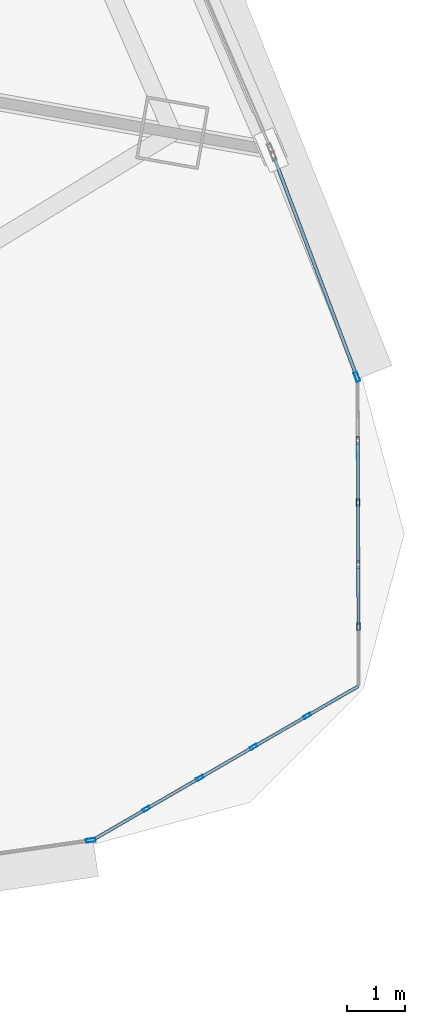
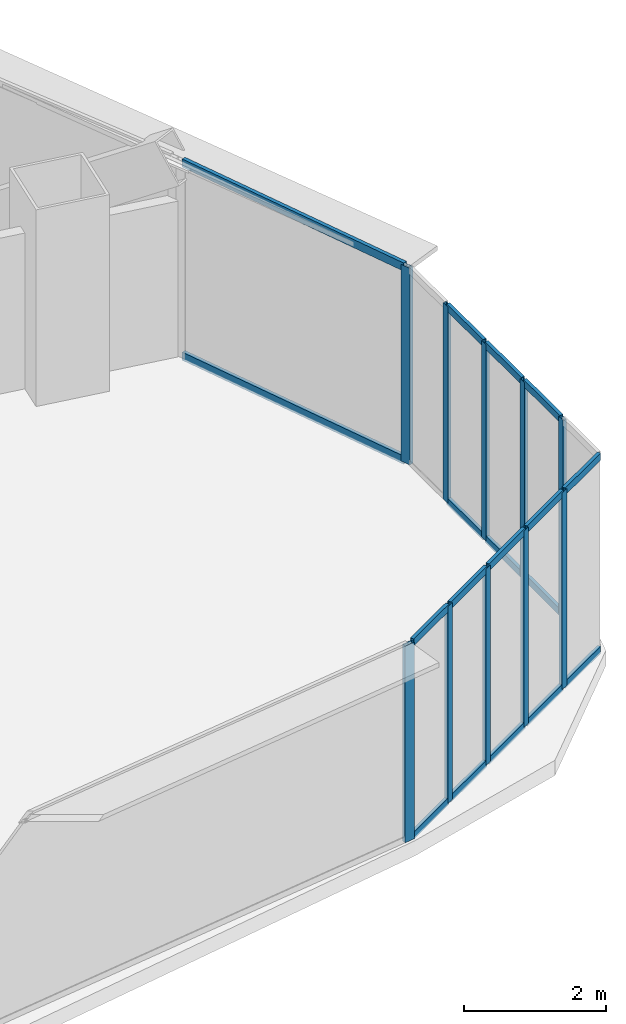
# One storey, part 22 of 42: 28 members, 4 elements without a shape of their own.
"""IFC4 building model written with IfcOpenShell, lengths in metres."""

from ifc_helpers import new_model, si_unit, direction, frame, origin, origin_2d, place, context, subcontext, project, spatial, hollow_rectangle, extrude, source, transform, mapped, material, layer, layer_set, material_profile, profile_set, type_object, element, aggregate, save


model = new_model("IFC4")

# Units and contexts
model_context = context("Model", 3, precision=1e-05, world=origin(), true_north=direction((0.0, 1.0)))
body_context = subcontext(model_context, "Body", "Model", "MODEL_VIEW")
ifc_project = project(units=[si_unit("LENGTHUNIT", "METRE"), si_unit("AREAUNIT", "SQUARE_METRE"), si_unit("VOLUMEUNIT", "CUBIC_METRE"), si_unit("PLANEANGLEUNIT", "RADIAN"), si_unit("MASSUNIT", "GRAM", prefix="KILO"), si_unit("THERMODYNAMICTEMPERATUREUNIT", "KELVIN"), si_unit("POWERUNIT", "WATT")], contexts=[model_context])

# Site, building, storey
site_placement = place(None, origin())
site = spatial("IfcSite", under=ifc_project, at=site_placement, CompositionType="ELEMENT")
building_placement = place(site_placement, origin())
building = spatial("IfcBuilding", under=site, at=building_placement, Name="Yunzhuo Pagoda Commons", CompositionType="ELEMENT")
storey_placement = place(building_placement, frame((0.0, 0.0, 44.919921875)))
storey = spatial("IfcBuildingStorey", under=building, at=storey_placement, Name="L11", CompositionType="ELEMENT", Elevation=44.919921875)

# Curtain wall, member
ifc_material = material(Name="Anodized aluminium 6063-T6", Category="aluminium")
ifc_layer_1 = layer(ifc_material, 0.1650390625)
ifc_layer_set_1 = layer_set([ifc_layer_1], Name="Anodized aluminium 6063-T6")
curtain_wall_type_1 = type_object("IfcCurtainWallType", Name="CW-LOW Low-Zone Ribbon Curtain Wall", PredefinedType="NOTDEFINED", material=ifc_layer_set_1)
curtain_wall_1_placement = place(storey_placement, origin())
curtain_wall_1 = element("IfcCurtainWall", 1, at=curtain_wall_1_placement, inside=storey, type_object=curtain_wall_type_1, Name="L11 curtain wall CW-L11-F1B5", PredefinedType="NOTDEFINED")
ifc_material_profile_1 = material_profile(ifc_material, hollow_rectangle(XDim=0.06494140625, YDim=0.1650390625, WallThickness=0.00390625, at=origin_2d()), Name="Anodized aluminium 6063-T6")
ifc_profile_set_1 = profile_set([ifc_material_profile_1], Name="Anodized aluminium 6063-T6")
member_type_1 = type_object("IfcMemberType", Name="CW-LOW-M Mullion RHS 165x65x4", PredefinedType="MULLION", material=ifc_profile_set_1)
shared_shape_1 = source(origin(), body_context, "Body", "SweptSolid", [
    extrude(hollow_rectangle(XDim=0.06494140625, YDim=0.1650390625, WallThickness=0.00390625, at=origin_2d()), origin(), (0.0, 0.0, 1.0), 3.3701171875),
])
member_1_placement = place(storey_placement, frame((86.635986328125, 14.39697265625, 0.0), z_axis=(0.0, 0.0, 1.0), x_axis=(-0.141492753346, 0.989939291447, 0.0)))
member_1 = element("IfcMember", 2, at=member_1_placement, type_object=member_type_1, Name="CW mullion 2", PredefinedType="MULLION", context=body_context, shape_type="MappedRepresentation", body=[
    mapped(shared_shape_1, transform((0.0, 0.0, 0.0), scale=1.0)),
])
aggregate(curtain_wall_1, [member_1])

# Curtain wall, members
curtain_wall_2_placement = place(storey_placement, origin())
curtain_wall_2 = element("IfcCurtainWall", 3, at=curtain_wall_2_placement, inside=storey, type_object=curtain_wall_type_1, Name="L11 curtain wall CW-L11-F2B1", PredefinedType="NOTDEFINED")
member_2_placement = place(storey_placement, frame((91.239990234375, 22.41455078125, 0.0), z_axis=(0.0, 0.0, 1.0), x_axis=(-0.935566420146, -0.353150780113, 0.0)))
member_2 = element("IfcMember", 4, at=member_2_placement, type_object=member_type_1, Name="CW mullion 1", PredefinedType="MULLION", context=body_context, shape_type="MappedRepresentation", body=[
    mapped(shared_shape_1, transform((0.0, 0.0, 0.0), scale=1.0)),
])
ifc_material_profile_2 = material_profile(ifc_material, hollow_rectangle(XDim=0.06005859375, YDim=0.139892578125, WallThickness=0.00341796875, at=origin_2d()), Name="Anodized aluminium 6063-T6")
ifc_profile_set_2 = profile_set([ifc_material_profile_2], Name="Anodized aluminium 6063-T6")
member_type_2 = type_object("IfcMemberType", Name="CW-LOW-T Transom RHS 140x60x3.5", PredefinedType="USERDEFINED", material=ifc_profile_set_2)
shared_shape_2 = source(origin(), body_context, "Body", "SweptSolid", [
    extrude(hollow_rectangle(XDim=0.06005859375, YDim=0.139892578125, WallThickness=0.00341796875, at=origin_2d()), origin(), (0.0, 0.0, 1.0), 4.019775390625),
])
member_3_placement = place(storey_placement, frame((91.228515625, 22.44482421875, 0.030029296875), z_axis=(-0.353172606042, 0.935558181163, 0.0), x_axis=(-0.935558181163, -0.353172606042, 0.0)))
member_3 = element("IfcMember", 5, at=member_3_placement, type_object=member_type_2, Name="CW transom 1.1", ObjectType="TRANSOM", PredefinedType="USERDEFINED", context=body_context, shape_type="MappedRepresentation", body=[
    mapped(shared_shape_2, transform((0.0, 0.0, 0.0), scale=1.0)),
])
member_4_placement = place(storey_placement, frame((91.228515625, 22.44482421875, 3.340087890625), z_axis=(-0.353172606042, 0.935558181163, 0.0), x_axis=(-0.935558181163, -0.353172606042, 0.0)))
member_4 = element("IfcMember", 6, at=member_4_placement, type_object=member_type_2, Name="CW transom 1.2", ObjectType="TRANSOM", PredefinedType="USERDEFINED", context=body_context, shape_type="MappedRepresentation", body=[
    mapped(shared_shape_2, transform((0.0, 0.0, 0.0), scale=1.0)),
])
aggregate(curtain_wall_2, [member_2, member_3, member_4])

ifc_layer_2 = layer(ifc_material, 0.1298828125)
ifc_layer_set_2 = layer_set([ifc_layer_2], Name="Anodized aluminium 6063-T6")
curtain_wall_type_2 = type_object("IfcCurtainWallType", Name="CW-VTX Rounded Corner Curtain Wall", PredefinedType="NOTDEFINED", material=ifc_layer_set_2)
curtain_wall_3_placement = place(storey_placement, origin())
curtain_wall_3 = element("IfcCurtainWall", 7, at=curtain_wall_3_placement, inside=storey, type_object=curtain_wall_type_2, Name="L11 curtain wall CW-L11-VTX2S1", PredefinedType="NOTDEFINED")
ifc_material_profile_3 = material_profile(ifc_material, hollow_rectangle(XDim=0.054931640625, YDim=0.1201171875, WallThickness=0.00341796875, at=origin_2d()), Name="Anodized aluminium 6063-T6")
ifc_profile_set_3 = profile_set([ifc_material_profile_3], Name="Anodized aluminium 6063-T6")
member_type_3 = type_object("IfcMemberType", Name="CW-VTX-T Transom RHS 120x55x3.5", PredefinedType="USERDEFINED", material=ifc_profile_set_3)
shared_shape_3 = source(origin(), body_context, "Body", "SweptSolid", [
    extrude(hollow_rectangle(XDim=0.054931640625, YDim=0.1201171875, WallThickness=0.00341796875, at=origin_2d()), origin(), (0.0, 0.0, 1.0), 0.990478515625),
])
member_5_placement = place(storey_placement, frame((90.406005859375, 16.5654296875, 0.027587890625), z_axis=(0.865499411208, 0.500909941206, 0.0), x_axis=(-0.500909941206, 0.865499411208, 0.0)))
member_5 = element("IfcMember", 8, at=member_5_placement, type_object=member_type_3, Name="CW transom 5.1", ObjectType="TRANSOM", PredefinedType="USERDEFINED", context=body_context, shape_type="MappedRepresentation", body=[
    mapped(shared_shape_3, transform((0.0, 0.0, 0.0), scale=1.0)),
])
member_6_placement = place(storey_placement, frame((90.406005859375, 16.5654296875, 3.342529296875), z_axis=(0.865499411208, 0.500909941206, 0.0), x_axis=(-0.500909941206, 0.865499411208, 0.0)))
member_6 = element("IfcMember", 9, at=member_6_placement, type_object=member_type_3, Name="CW transom 5.2", ObjectType="TRANSOM", PredefinedType="USERDEFINED", context=body_context, shape_type="MappedRepresentation", body=[
    mapped(shared_shape_3, transform((0.0, 0.0, 0.0), scale=1.0)),
])

curtain_wall_4_placement = place(storey_placement, origin())
curtain_wall_4 = element("IfcCurtainWall", 10, at=curtain_wall_4_placement, inside=storey, type_object=curtain_wall_type_2, Name="L11 curtain wall CW-L11-VTX2S2", PredefinedType="NOTDEFINED")
shared_shape_4 = source(origin(), body_context, "Body", "SweptSolid", [
    extrude(hollow_rectangle(XDim=0.054931640625, YDim=0.1201171875, WallThickness=0.00341796875, at=origin_2d()), origin(), (0.0, 0.0, 1.0), 1.017822265625),
])
member_7_placement = place(storey_placement, frame((91.26318359375, 19.19287109375, 0.027587890625), z_axis=(-0.00383782254, 0.999992635532, 0.0), x_axis=(-0.999992635532, -0.00383782254, 0.0)))
member_7 = element("IfcMember", 11, at=member_7_placement, type_object=member_type_3, Name="CW transom 3.1", ObjectType="TRANSOM", PredefinedType="USERDEFINED", context=body_context, shape_type="MappedRepresentation", body=[
    mapped(shared_shape_4, transform((0.0, 0.0, 0.0), scale=1.0)),
])
member_8_placement = place(storey_placement, frame((91.26318359375, 19.19287109375, 3.342529296875), z_axis=(-0.00383782254, 0.999992635532, 0.0), x_axis=(-0.999992635532, -0.00383782254, 0.0)))
member_8 = element("IfcMember", 12, at=member_8_placement, type_object=member_type_3, Name="CW transom 3.2", ObjectType="TRANSOM", PredefinedType="USERDEFINED", context=body_context, shape_type="MappedRepresentation", body=[
    mapped(shared_shape_4, transform((0.0, 0.0, 0.0), scale=1.0)),
])
member_9_placement = place(storey_placement, frame((91.259033203125, 20.265869140625, 0.027587890625), z_axis=(-0.00359796184, 0.999993527314, 0.0), x_axis=(-0.999993527314, -0.00359796184, 0.0)))
member_9 = element("IfcMember", 13, at=member_9_placement, type_object=member_type_3, Name="CW transom 4.1", ObjectType="TRANSOM", PredefinedType="USERDEFINED", context=body_context, shape_type="MappedRepresentation", body=[
    mapped(shared_shape_4, transform((0.0, 0.0, 0.0), scale=1.0)),
])
member_10_placement = place(storey_placement, frame((91.259033203125, 20.265869140625, 3.342529296875), z_axis=(-0.00359796184, 0.999993527314, 0.0), x_axis=(-0.999993527314, -0.00359796184, 0.0)))
member_10 = element("IfcMember", 14, at=member_10_placement, type_object=member_type_3, Name="CW transom 4.2", ObjectType="TRANSOM", PredefinedType="USERDEFINED", context=body_context, shape_type="MappedRepresentation", body=[
    mapped(shared_shape_4, transform((0.0, 0.0, 0.0), scale=1.0)),
])

# Member
shared_shape_5 = source(origin(), body_context, "Body", "SweptSolid", [
    extrude(hollow_rectangle(XDim=0.054931640625, YDim=0.1201171875, WallThickness=0.00341796875, at=origin_2d()), origin(), (0.0, 0.0, 1.0), 1.01806640625),
])
member_11_placement = place(storey_placement, frame((87.620361328125, 14.95263671875, 0.027587890625), z_axis=(0.865305848027, 0.501244241235, 0.0), x_axis=(-0.501244241235, 0.865305848027, 0.0)))
member_11 = element("IfcMember", 15, at=member_11_placement, type_object=member_type_3, Name="CW transom 2.1", ObjectType="TRANSOM", PredefinedType="USERDEFINED", context=body_context, shape_type="MappedRepresentation", body=[
    mapped(shared_shape_5, transform((0.0, 0.0, 0.0), scale=1.0)),
])

member_12_placement = place(storey_placement, frame((87.620361328125, 14.95263671875, 3.342529296875), z_axis=(0.865305848027, 0.501244241235, 0.0), x_axis=(-0.501244241235, 0.865305848027, 0.0)))
member_12 = element("IfcMember", 16, at=member_12_placement, type_object=member_type_3, Name="CW transom 2.2", ObjectType="TRANSOM", PredefinedType="USERDEFINED", context=body_context, shape_type="MappedRepresentation", body=[
    mapped(shared_shape_5, transform((0.0, 0.0, 0.0), scale=1.0)),
])

member_13_placement = place(storey_placement, frame((88.548828125, 15.490234375, 0.027587890625), z_axis=(0.865470064702, 0.500960644268, 0.0), x_axis=(-0.500960644268, 0.865470064702, 0.0)))
member_13 = element("IfcMember", 17, at=member_13_placement, type_object=member_type_3, Name="CW transom 3.1", ObjectType="TRANSOM", PredefinedType="USERDEFINED", context=body_context, shape_type="MappedRepresentation", body=[
    mapped(shared_shape_5, transform((0.0, 0.0, 0.0), scale=1.0)),
])

member_14_placement = place(storey_placement, frame((88.548828125, 15.490234375, 3.342529296875), z_axis=(0.865470064702, 0.500960644268, 0.0), x_axis=(-0.500960644268, 0.865470064702, 0.0)))
member_14 = element("IfcMember", 18, at=member_14_placement, type_object=member_type_3, Name="CW transom 3.2", ObjectType="TRANSOM", PredefinedType="USERDEFINED", context=body_context, shape_type="MappedRepresentation", body=[
    mapped(shared_shape_5, transform((0.0, 0.0, 0.0), scale=1.0)),
])

member_15_placement = place(storey_placement, frame((89.477294921875, 16.02783203125, 0.027587890625), z_axis=(0.865470064702, 0.500960644268, 0.0), x_axis=(-0.500960644268, 0.865470064702, 0.0)))
member_15 = element("IfcMember", 19, at=member_15_placement, type_object=member_type_3, Name="CW transom 4.1", ObjectType="TRANSOM", PredefinedType="USERDEFINED", context=body_context, shape_type="MappedRepresentation", body=[
    mapped(shared_shape_5, transform((0.0, 0.0, 0.0), scale=1.0)),
])

member_16_placement = place(storey_placement, frame((89.477294921875, 16.02783203125, 3.342529296875), z_axis=(0.865470064702, 0.500960644268, 0.0), x_axis=(-0.500960644268, 0.865470064702, 0.0)))
member_16 = element("IfcMember", 20, at=member_16_placement, type_object=member_type_3, Name="CW transom 4.2", ObjectType="TRANSOM", PredefinedType="USERDEFINED", context=body_context, shape_type="MappedRepresentation", body=[
    mapped(shared_shape_5, transform((0.0, 0.0, 0.0), scale=1.0)),
])

member_17_placement = place(storey_placement, frame((91.266845703125, 18.1201171875, 0.027587890625), z_axis=(-0.00359709903, 0.999993530418, 0.0), x_axis=(-0.999993530418, -0.00359709903, 0.0)))
member_17 = element("IfcMember", 21, at=member_17_placement, type_object=member_type_3, Name="CW transom 2.1", ObjectType="TRANSOM", PredefinedType="USERDEFINED", context=body_context, shape_type="MappedRepresentation", body=[
    mapped(shared_shape_5, transform((0.0, 0.0, 0.0), scale=1.0)),
])

member_18_placement = place(storey_placement, frame((91.266845703125, 18.1201171875, 3.342529296875), z_axis=(-0.00359709903, 0.999993530418, 0.0), x_axis=(-0.999993530418, -0.00359709903, 0.0)))
member_18 = element("IfcMember", 22, at=member_18_placement, type_object=member_type_3, Name="CW transom 2.2", ObjectType="TRANSOM", PredefinedType="USERDEFINED", context=body_context, shape_type="MappedRepresentation", body=[
    mapped(shared_shape_5, transform((0.0, 0.0, 0.0), scale=1.0)),
])

shared_shape_6 = source(origin(), body_context, "Body", "SweptSolid", [
    extrude(hollow_rectangle(XDim=0.054931640625, YDim=0.1201171875, WallThickness=0.00341796875, at=origin_2d()), origin(), (0.0, 0.0, 1.0), 0.990234375),
])
member_19_placement = place(storey_placement, frame((86.7158203125, 14.428955078125, 0.027587890625), z_axis=(0.865437539194, 0.501016831807, 0.0), x_axis=(-0.501016831807, 0.865437539194, 0.0)))
member_19 = element("IfcMember", 23, at=member_19_placement, type_object=member_type_3, Name="CW transom 1.1", ObjectType="TRANSOM", PredefinedType="USERDEFINED", context=body_context, shape_type="MappedRepresentation", body=[
    mapped(shared_shape_6, transform((0.0, 0.0, 0.0), scale=1.0)),
])

member_20_placement = place(storey_placement, frame((86.7158203125, 14.428955078125, 3.342529296875), z_axis=(0.865437539194, 0.501016831807, 0.0), x_axis=(-0.501016831807, 0.865437539194, 0.0)))
member_20 = element("IfcMember", 24, at=member_20_placement, type_object=member_type_3, Name="CW transom 1.2", ObjectType="TRANSOM", PredefinedType="USERDEFINED", context=body_context, shape_type="MappedRepresentation", body=[
    mapped(shared_shape_6, transform((0.0, 0.0, 0.0), scale=1.0)),
])

ifc_material_profile_4 = material_profile(ifc_material, hollow_rectangle(XDim=0.054931640625, YDim=0.1298828125, WallThickness=0.00341796875, at=origin_2d()), Name="Anodized aluminium 6063-T6")
ifc_profile_set_4 = profile_set([ifc_material_profile_4], Name="Anodized aluminium 6063-T6")
member_type_4 = type_object("IfcMemberType", Name="CW-VTX-M Mullion RHS 130x55x3.5", PredefinedType="MULLION", material=ifc_profile_set_4)
shared_shape_7 = source(origin(), body_context, "Body", "SweptSolid", [
    extrude(hollow_rectangle(XDim=0.054931640625, YDim=0.1298828125, WallThickness=0.00341796875, at=origin_2d()), origin(), (0.0, 0.0, 1.0), 3.3701171875),
])
member_21_placement = place(storey_placement, frame((87.5966796875, 14.93896484375, 0.0), z_axis=(0.0, 0.0, 1.0), x_axis=(-0.501041414295, 0.865423307498, 0.0)))
member_21 = element("IfcMember", 25, at=member_21_placement, type_object=member_type_4, Name="CW mullion 2", PredefinedType="MULLION", context=body_context, shape_type="MappedRepresentation", body=[
    mapped(shared_shape_7, transform((0.0, 0.0, 0.0), scale=1.0)),
])

member_22_placement = place(storey_placement, frame((88.525390625, 15.476318359375, 0.0), z_axis=(0.0, 0.0, 1.0), x_axis=(-0.501041414295, 0.865423307498, 0.0)))
member_22 = element("IfcMember", 26, at=member_22_placement, type_object=member_type_4, Name="CW mullion 3", PredefinedType="MULLION", context=body_context, shape_type="MappedRepresentation", body=[
    mapped(shared_shape_7, transform((0.0, 0.0, 0.0), scale=1.0)),
])

member_23_placement = place(storey_placement, frame((89.45361328125, 16.013916015625, 0.0), z_axis=(0.0, 0.0, 1.0), x_axis=(-0.501041414295, 0.865423307498, 0.0)))
member_23 = element("IfcMember", 27, at=member_23_placement, type_object=member_type_4, Name="CW mullion 4", PredefinedType="MULLION", context=body_context, shape_type="MappedRepresentation", body=[
    mapped(shared_shape_7, transform((0.0, 0.0, 0.0), scale=1.0)),
])

member_24_placement = place(storey_placement, frame((90.382080078125, 16.551513671875, 0.0), z_axis=(0.0, 0.0, 1.0), x_axis=(-0.501041414295, 0.865423307498, 0.0)))
member_24 = element("IfcMember", 28, at=member_24_placement, type_object=member_type_4, Name="CW mullion 5", PredefinedType="MULLION", context=body_context, shape_type="MappedRepresentation", body=[
    mapped(shared_shape_7, transform((0.0, 0.0, 0.0), scale=1.0)),
])

aggregate(curtain_wall_3, [member_21, member_22, member_23, member_24, member_19, member_20, member_11, member_12, member_13, member_14, member_15, member_16, member_5, member_6])

member_25_placement = place(storey_placement, frame((91.266845703125, 18.092529296875, 0.0), z_axis=(0.0, 0.0, 1.0), x_axis=(-0.999993595138, -0.003579061808, 0.0)))
member_25 = element("IfcMember", 29, at=member_25_placement, type_object=member_type_4, Name="CW mullion 2", PredefinedType="MULLION", context=body_context, shape_type="MappedRepresentation", body=[
    mapped(shared_shape_7, transform((0.0, 0.0, 0.0), scale=1.0)),
])

member_26_placement = place(storey_placement, frame((91.26318359375, 19.165283203125, 0.0), z_axis=(0.0, 0.0, 1.0), x_axis=(-0.999993595138, -0.003579061808, 0.0)))
member_26 = element("IfcMember", 30, at=member_26_placement, type_object=member_type_4, Name="CW mullion 3", PredefinedType="MULLION", context=body_context, shape_type="MappedRepresentation", body=[
    mapped(shared_shape_7, transform((0.0, 0.0, 0.0), scale=1.0)),
])

member_27_placement = place(storey_placement, frame((91.25927734375, 20.23828125, 0.0), z_axis=(0.0, 0.0, 1.0), x_axis=(-0.999993595138, -0.003579061808, 0.0)))
member_27 = element("IfcMember", 31, at=member_27_placement, type_object=member_type_4, Name="CW mullion 4", PredefinedType="MULLION", context=body_context, shape_type="MappedRepresentation", body=[
    mapped(shared_shape_7, transform((0.0, 0.0, 0.0), scale=1.0)),
])

member_28_placement = place(storey_placement, frame((91.25537109375, 21.311279296875, 0.0), z_axis=(0.0, 0.0, 1.0), x_axis=(-0.999993595138, -0.003579061808, 0.0)))
member_28 = element("IfcMember", 32, at=member_28_placement, type_object=member_type_4, Name="CW mullion 5", PredefinedType="MULLION", context=body_context, shape_type="MappedRepresentation", body=[
    mapped(shared_shape_7, transform((0.0, 0.0, 0.0), scale=1.0)),
])

aggregate(curtain_wall_4, [member_25, member_26, member_27, member_28, member_17, member_18, member_7, member_8, member_9, member_10])

save(model, "model.ifc")
